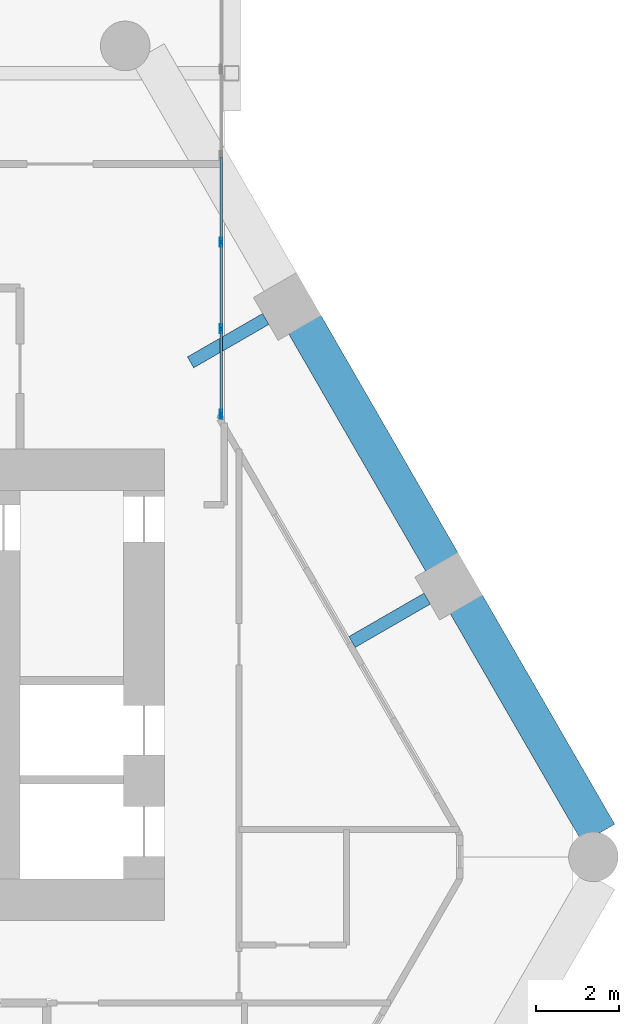
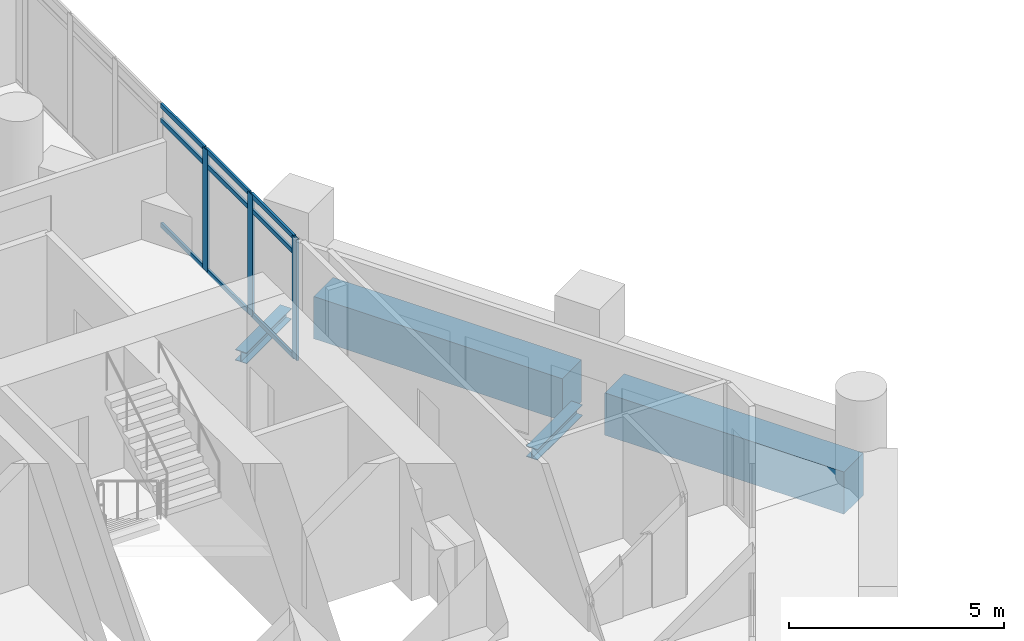
# One storey, part 23 of 37: 12 members, 4 beams, 1 element without a shape of its own.
"""IFC4 building model written with IfcOpenShell, lengths in metres."""

from ifc_helpers import new_model, si_unit, direction, frame, origin, origin_2d, place, context, subcontext, project, spatial, rectangle, hollow_rectangle, i_section, extrude, material, material_profile, profile_set, type_object, element, aggregate, save


model = new_model("IFC4")

# Units and contexts
model_context = context("Model", 3, precision=1e-05, world=origin(), true_north=direction((0.0, 1.0)))
body_context = subcontext(model_context, "Body", "Model", "MODEL_VIEW")
ifc_project = project(units=[si_unit("LENGTHUNIT", "METRE"), si_unit("AREAUNIT", "SQUARE_METRE"), si_unit("VOLUMEUNIT", "CUBIC_METRE"), si_unit("PLANEANGLEUNIT", "RADIAN"), si_unit("MASSUNIT", "GRAM", prefix="KILO")], contexts=[model_context])

# Site, building, storey
site_placement = place(None, origin())
site = spatial("IfcSite", under=ifc_project, at=site_placement, CompositionType="ELEMENT")
building_placement = place(site_placement, origin())
building = spatial("IfcBuilding", under=site, at=building_placement, Name="Ostrander Bayou Hotel Tower", CompositionType="ELEMENT")
storey_placement = place(building_placement, frame((0.0, 0.0, 93.0)))
storey = spatial("IfcBuildingStorey", under=building, at=storey_placement, Name="L23", CompositionType="ELEMENT", Elevation=93.0)

# Curtain wall, members
ifc_material_1 = material(Name="Aluminium and clear glass", Category="aluminium")
curtain_wall_type = type_object("IfcCurtainWallType", Name="CW-BAR glazed wall", PredefinedType="NOTDEFINED", material=ifc_material_1)
curtain_wall_placement = place(storey_placement, origin())
curtain_wall = element("IfcCurtainWall", 1, at=curtain_wall_placement, inside=storey, type_object=curtain_wall_type, Name="CW-BAR L23:SB2N:W", PredefinedType="NOTDEFINED")
ifc_material_2 = material(Name="Aluminium", Category="aluminium")
ifc_material_profile_1 = material_profile(ifc_material_2, hollow_rectangle(XDim=0.06005859375, YDim=0.219970703125, WallThickness=0.00390625, at=origin_2d()))
ifc_profile_set_1 = profile_set([ifc_material_profile_1], Name="Aluminium")
member_type_1 = type_object("IfcMemberType", Name="CW-BR mullion 60 x 220 mm", PredefinedType="MULLION", material=ifc_profile_set_1)
member_1_placement = place(storey_placement, frame((13.3671875, 10.550048828125, 0.0), z_axis=(0.0, 0.0, 1.0), x_axis=(-1.0, 0.0, 0.0)))
member_1 = element("IfcMember", 2, at=member_1_placement, type_object=member_type_1, Name="CW-BAR mullion 1", PredefinedType="MULLION", context=body_context, shape_type="SweptSolid", body=[
    extrude(hollow_rectangle(XDim=0.06005859375, YDim=0.219970703125, WallThickness=0.00390625, at=origin_2d()), origin(), (0.0, 0.0, 1.0), 3.449951171875),
])
member_2_placement = place(storey_placement, frame((13.3671875, 12.612548828125, 0.0), z_axis=(0.0, 0.0, 1.0), x_axis=(-1.0, 0.0, 0.0)))
member_2 = element("IfcMember", 3, at=member_2_placement, type_object=member_type_1, Name="CW-BAR mullion 2", PredefinedType="MULLION", context=body_context, shape_type="SweptSolid", body=[
    extrude(hollow_rectangle(XDim=0.06005859375, YDim=0.219970703125, WallThickness=0.00390625, at=origin_2d()), origin(), (0.0, 0.0, 1.0), 3.449951171875),
])
member_3_placement = place(storey_placement, frame((13.3671875, 14.705078125, 0.0), z_axis=(0.0, 0.0, 1.0), x_axis=(-1.0, 0.0, 0.0)))
member_3 = element("IfcMember", 4, at=member_3_placement, type_object=member_type_1, Name="CW-BAR mullion 3", PredefinedType="MULLION", context=body_context, shape_type="SweptSolid", body=[
    extrude(hollow_rectangle(XDim=0.06005859375, YDim=0.219970703125, WallThickness=0.00390625, at=origin_2d()), origin(), (0.0, 0.0, 1.0), 3.449951171875),
])
ifc_material_3 = material(Name="Aluminium", Category="aluminium")
ifc_material_profile_2 = material_profile(ifc_material_3, hollow_rectangle(XDim=0.06005859375, YDim=0.1298828125, WallThickness=0.00390625, at=origin_2d()))
ifc_profile_set_2 = profile_set([ifc_material_profile_2], Name="Aluminium")
member_type_2 = type_object("IfcMemberType", Name="CW-BR transom 60 x 130 mm", PredefinedType="USERDEFINED", material=ifc_profile_set_2)
member_4_placement = place(storey_placement, frame((13.3671875, 10.580078125, 0.030029296875), z_axis=(0.0, 1.0, 0.0), x_axis=(-1.0, 0.0, 0.0)))
member_4 = element("IfcMember", 5, at=member_4_placement, type_object=member_type_2, Name="CW-BAR transom 1.1", ObjectType="TRANSOM", PredefinedType="USERDEFINED", context=body_context, shape_type="SweptSolid", body=[
    extrude(hollow_rectangle(XDim=0.06005859375, YDim=0.1298828125, WallThickness=0.00390625, at=origin_2d()), origin(), (0.0, 0.0, 1.0), 2.00244140625),
])
member_5_placement = place(storey_placement, frame((13.3671875, 10.580078125, 3.0), z_axis=(0.0, 1.0, 0.0), x_axis=(-1.0, 0.0, 0.0)))
member_5 = element("IfcMember", 6, at=member_5_placement, type_object=member_type_2, Name="CW-BAR transom 1.2", ObjectType="TRANSOM", PredefinedType="USERDEFINED", context=body_context, shape_type="SweptSolid", body=[
    extrude(hollow_rectangle(XDim=0.06005859375, YDim=0.1298828125, WallThickness=0.00390625, at=origin_2d()), origin(), (0.0, 0.0, 1.0), 2.00244140625),
])
member_6_placement = place(storey_placement, frame((13.3671875, 10.580078125, 3.419921875), z_axis=(0.0, 1.0, 0.0), x_axis=(-1.0, 0.0, 0.0)))
member_6 = element("IfcMember", 7, at=member_6_placement, type_object=member_type_2, Name="CW-BAR transom 1.3", ObjectType="TRANSOM", PredefinedType="USERDEFINED", context=body_context, shape_type="SweptSolid", body=[
    extrude(hollow_rectangle(XDim=0.06005859375, YDim=0.1298828125, WallThickness=0.00390625, at=origin_2d()), origin(), (0.0, 0.0, 1.0), 2.00244140625),
])
member_7_placement = place(storey_placement, frame((13.3671875, 12.642578125, 0.030029296875), z_axis=(0.0, 1.0, 0.0), x_axis=(-1.0, 0.0, 0.0)))
member_7 = element("IfcMember", 8, at=member_7_placement, type_object=member_type_2, Name="CW-BAR transom 2.1", ObjectType="TRANSOM", PredefinedType="USERDEFINED", context=body_context, shape_type="SweptSolid", body=[
    extrude(hollow_rectangle(XDim=0.06005859375, YDim=0.1298828125, WallThickness=0.00390625, at=origin_2d()), origin(), (0.0, 0.0, 1.0), 2.032470703125),
])
member_8_placement = place(storey_placement, frame((13.3671875, 12.642578125, 3.0), z_axis=(0.0, 1.0, 0.0), x_axis=(-1.0, 0.0, 0.0)))
member_8 = element("IfcMember", 9, at=member_8_placement, type_object=member_type_2, Name="CW-BAR transom 2.2", ObjectType="TRANSOM", PredefinedType="USERDEFINED", context=body_context, shape_type="SweptSolid", body=[
    extrude(hollow_rectangle(XDim=0.06005859375, YDim=0.1298828125, WallThickness=0.00390625, at=origin_2d()), origin(), (0.0, 0.0, 1.0), 2.032470703125),
])
member_9_placement = place(storey_placement, frame((13.3671875, 12.642578125, 3.419921875), z_axis=(0.0, 1.0, 0.0), x_axis=(-1.0, 0.0, 0.0)))
member_9 = element("IfcMember", 10, at=member_9_placement, type_object=member_type_2, Name="CW-BAR transom 2.3", ObjectType="TRANSOM", PredefinedType="USERDEFINED", context=body_context, shape_type="SweptSolid", body=[
    extrude(hollow_rectangle(XDim=0.06005859375, YDim=0.1298828125, WallThickness=0.00390625, at=origin_2d()), origin(), (0.0, 0.0, 1.0), 2.032470703125),
])
member_10_placement = place(storey_placement, frame((13.3671875, 14.735107421875, 0.030029296875), z_axis=(0.0, 1.0, 0.0), x_axis=(-1.0, 0.0, 0.0)))
member_10 = element("IfcMember", 11, at=member_10_placement, type_object=member_type_2, Name="CW-BAR transom 3.1", ObjectType="TRANSOM", PredefinedType="USERDEFINED", context=body_context, shape_type="SweptSolid", body=[
    extrude(hollow_rectangle(XDim=0.06005859375, YDim=0.1298828125, WallThickness=0.00390625, at=origin_2d()), origin(), (0.0, 0.0, 1.0), 2.032470703125),
])
member_11_placement = place(storey_placement, frame((13.3671875, 14.735107421875, 3.0), z_axis=(0.0, 1.0, 0.0), x_axis=(-1.0, 0.0, 0.0)))
member_11 = element("IfcMember", 12, at=member_11_placement, type_object=member_type_2, Name="CW-BAR transom 3.2", ObjectType="TRANSOM", PredefinedType="USERDEFINED", context=body_context, shape_type="SweptSolid", body=[
    extrude(hollow_rectangle(XDim=0.06005859375, YDim=0.1298828125, WallThickness=0.00390625, at=origin_2d()), origin(), (0.0, 0.0, 1.0), 2.032470703125),
])
member_12_placement = place(storey_placement, frame((13.3671875, 14.735107421875, 3.419921875), z_axis=(0.0, 1.0, 0.0), x_axis=(-1.0, 0.0, 0.0)))
member_12 = element("IfcMember", 13, at=member_12_placement, type_object=member_type_2, Name="CW-BAR transom 3.3", ObjectType="TRANSOM", PredefinedType="USERDEFINED", context=body_context, shape_type="SweptSolid", body=[
    extrude(hollow_rectangle(XDim=0.06005859375, YDim=0.1298828125, WallThickness=0.00390625, at=origin_2d()), origin(), (0.0, 0.0, 1.0), 2.032470703125),
])
aggregate(curtain_wall, [member_1, member_2, member_3, member_4, member_5, member_6, member_7, member_8, member_9, member_10, member_11, member_12])

# Beams
ifc_material_4 = material(Name="Steel ASTM A992", Category="steel")
ifc_material_profile_3 = material_profile(ifc_material_4, i_section(OverallWidth=0.3046875, OverallDepth=0.307861328125, WebThickness=0.010009765625, FlangeThickness=0.015380859375, at=origin_2d()))
ifc_profile_set_3 = profile_set([ifc_material_profile_3], Name="Steel ASTM A992")
beam_type_1 = type_object("IfcBeamType", Name="LB1 loggia bracket W12x65", PredefinedType="BEAM", material=ifc_profile_set_3)
beam_1_placement = place(storey_placement, frame((18.352783203125, 6.084716796875, -0.453857421875), z_axis=(-0.866059744384, -0.49994051562, 0.0), x_axis=(0.49994051562, -0.866059744384, 0.0)))
element("IfcBeam", 14, at=beam_1_placement, inside=storey, type_object=beam_type_1, Name="LB1 L23 NE1", PredefinedType="BEAM", context=body_context, shape_type="SweptSolid", body=[
    extrude(i_section(OverallWidth=0.3046875, OverallDepth=0.307861328125, WebThickness=0.010009765625, FlangeThickness=0.015380859375, at=origin_2d()), origin(), (0.0, 0.0, 1.0), 2.099853515625),
])
beam_2_placement = place(storey_placement, frame((14.446044921875, 12.8515625, -0.453857421875), z_axis=(-0.866038466041, -0.499977374825, 0.0), x_axis=(0.499977374825, -0.866038466041, 0.0)))
element("IfcBeam", 15, at=beam_2_placement, inside=storey, type_object=beam_type_1, Name="LB1 L23 NE2", PredefinedType="BEAM", context=body_context, shape_type="SweptSolid", body=[
    extrude(i_section(OverallWidth=0.3046875, OverallDepth=0.307861328125, WebThickness=0.010009765625, FlangeThickness=0.015380859375, at=origin_2d()), origin(), (0.0, 0.0, 1.0), 2.10009765625),
])
ifc_material_5 = material(Name="Concrete f'c 70 MPa", Category="concrete")
ifc_material_profile_4 = material_profile(ifc_material_5, rectangle(XDim=0.89990234375, YDim=1.199951171875, at=origin_2d()))
ifc_profile_set_4 = profile_set([ifc_material_profile_4], Name="Concrete f'c 70 MPa")
beam_type_2 = type_object("IfcBeamType", Name="SP2 spandrel beam 900 x 1200 mm f'c 70 MPa", PredefinedType="SPANDREL", material=ifc_profile_set_4)
beam_3_placement = place(storey_placement, frame((22.5009765625, 0.39990234375, -0.60009765625), z_axis=(-0.500011789842, 0.866018596809, 0.0), x_axis=(-0.866018596809, -0.500011789842, 0.0)))
element("IfcBeam", 16, at=beam_3_placement, inside=storey, type_object=beam_type_2, Name="SP2 L23 NE-1", PredefinedType="SPANDREL", context=body_context, shape_type="SweptSolid", body=[
    extrude(rectangle(XDim=0.89990234375, YDim=1.199951171875, at=origin_2d()), origin(), (0.0, 0.0, 1.0), 6.427490234375),
])
beam_4_placement = place(storey_placement, frame((18.71728515625, 6.95361328125, -0.60009765625), z_axis=(-0.499999023957, 0.866025967302, 0.0), x_axis=(-0.866025967302, -0.499999023957, 0.0)))
element("IfcBeam", 17, at=beam_4_placement, inside=storey, type_object=beam_type_2, Name="SP2 L23 NE-2", PredefinedType="SPANDREL", context=body_context, shape_type="SweptSolid", body=[
    extrude(rectangle(XDim=0.89990234375, YDim=1.199951171875, at=origin_2d()), origin(), (0.0, 0.0, 1.0), 6.67333984375),
])

save(model, "model.ifc")
